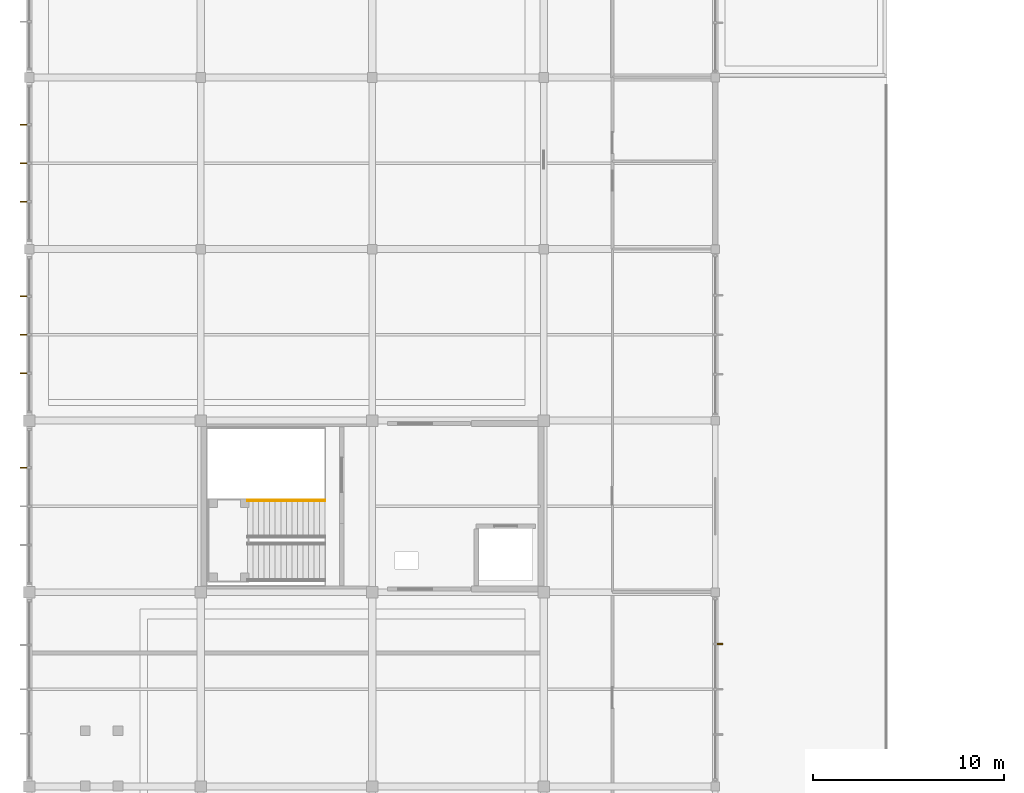
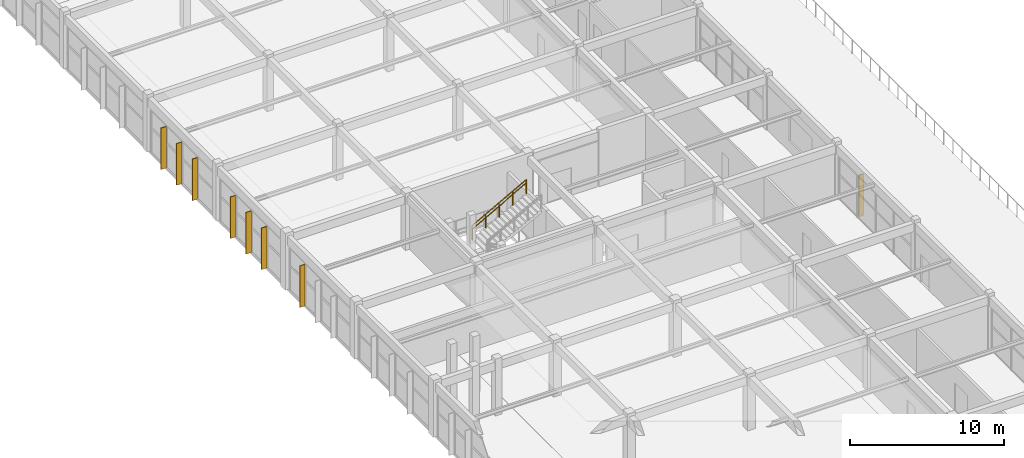
# One storey, part 78 of 89: 8 shading devices, 2 railings.
"""IFC4 building model written with IfcOpenShell, lengths in metres."""

import ifcopenshell
import ifcopenshell.guid

model = None  # the IFC model being written
_history = None  # IfcOwnerHistory: only IFC2X3 demands one
_inside = {}  # id of a spatial element -> (the spatial element, [elements in it])
_under = {}  # id of a project, library or spatial element -> (it, [spatial elements below it])
_declared = {}  # id of a project -> (the project, [libraries it declares])
_typed = {}  # id of a type object -> (the type object, [elements of that type])
_made_of = {}  # id of a material, layer set ... -> (it, [elements and type objects made of it])


def new_model(schema):
    """Start an empty IFC model of exactly this schema.

    Asked for "IFC4X3", IfcOpenShell would pick the latest addendum, in which some entities
    have other attributes; the version numbers below select the first issue.
    IFC2X3 requires an IfcOwnerHistory on every rooted entity: one is made here for all.
    """
    global model, _history
    if schema == "IFC4X3":
        model = ifcopenshell.file(schema_version=(4, 3, 0, 0))
    else:
        model = ifcopenshell.file(schema=schema)
    _inside.clear()
    _under.clear()
    _declared.clear()
    _typed.clear()
    _made_of.clear()
    _history = None
    if model.schema == "IFC2X3":
        org = make("IfcOrganization", Name="unknown")
        user = make(
            "IfcPersonAndOrganization",
            ThePerson=make("IfcPerson", FamilyName="unknown"),
            TheOrganization=org,
        )
        app = make(
            "IfcApplication",
            ApplicationDeveloper=org,
            Version="unknown",
            ApplicationFullName="unknown",
            ApplicationIdentifier="unknown",
        )
        _history = make(
            "IfcOwnerHistory",
            OwningUser=user,
            OwningApplication=app,
            ChangeAction="ADDED",
            CreationDate=0,
        )
    return model


def make(cls, **values):
    """One entity of the class cls with the attributes given. An attribute that is None is left unset."""
    return model.create_entity(
        cls, **{name: value for name, value in values.items() if value is not None}
    )


def rooted(cls, **values):
    """An entity with a GlobalId (a new one), such as an element, a storey or a relation."""
    return make(cls, GlobalId=ifcopenshell.guid.new(), OwnerHistory=_history, **values)


def si_unit(unit_type, name, prefix=None):
    """IfcSIUnit, for example si_unit("LENGTHUNIT", "METRE", prefix="MILLI")."""
    return make("IfcSIUnit", UnitType=unit_type, Prefix=prefix, Name=name)


def assignment(units):
    """IfcUnitAssignment: the units of a project."""
    return None if units is None else make("IfcUnitAssignment", Units=units)


def point(xyz):
    """IfcCartesianPoint."""
    return None if xyz is None else make("IfcCartesianPoint", Coordinates=xyz)


def direction(xyz):
    """IfcDirection."""
    return None if xyz is None else make("IfcDirection", DirectionRatios=xyz)


def frame(location, z_axis=None, x_axis=None):
    """IfcAxis2Placement3D, a coordinate frame: its origin and axes. An axis left out is left unset."""
    return make(
        "IfcAxis2Placement3D",
        Location=point(location),
        Axis=direction(z_axis),
        RefDirection=direction(x_axis),
    )


def frame_2d(location, x_axis=None):
    """IfcAxis2Placement2D, a coordinate frame in the plane: its origin and x axis."""
    return make(
        "IfcAxis2Placement2D", Location=point(location), RefDirection=direction(x_axis)
    )


def origin():
    """The frame at (0, 0, 0) with its axes left unset."""
    return frame((0.0, 0.0, 0.0))


def origin_2d():
    """The frame at (0, 0) in the plane with its x axis left unset."""
    return frame_2d((0.0, 0.0))


def place(relative_to, where):
    """IfcLocalPlacement: puts the frame where relative to a parent placement (None: the world)."""
    return make(
        "IfcLocalPlacement", PlacementRelTo=relative_to, RelativePlacement=where
    )


def context(
    kind, dimensions, precision=None, world=None, true_north=None, identifier=None
):
    """IfcGeometricRepresentationContext, for example the 3D "Model" context."""
    return make(
        "IfcGeometricRepresentationContext",
        ContextIdentifier=identifier,
        ContextType=kind,
        CoordinateSpaceDimension=dimensions,
        Precision=precision,
        WorldCoordinateSystem=world,
        TrueNorth=true_north,
    )


def subcontext(parent, identifier, kind, view, scale=None):
    """IfcGeometricRepresentationSubContext, for example "Body" below "Model"."""
    return make(
        "IfcGeometricRepresentationSubContext",
        ContextIdentifier=identifier,
        ContextType=kind,
        ParentContext=parent,
        TargetScale=scale,
        TargetView=view,
    )


def project(units=None, contexts=None):
    """IfcProject with its units and contexts."""
    return rooted(
        "IfcProject",
        Name="project",
        RepresentationContexts=contexts,
        UnitsInContext=assignment(units),
    )


def spatial(cls, under=None, at=None, **own):
    """A site, building, storey or space (cls), placed at a placement, below another one or the project."""
    s = rooted(cls, ObjectPlacement=at, **own)
    if under is not None:
        _under.setdefault(under.id(), (under, []))[1].append(s)
    return s


def profile(cls, at=None, kind="AREA", **sizes):
    """A parametric profile (cls). Its sizes go by their IFC names, for example OverallWidth=200.0."""
    return make(cls, ProfileType=kind, Position=at, **sizes)


def rectangle(**sizes):
    """IfcRectangleProfileDef."""
    return profile("IfcRectangleProfileDef", **sizes)


def circle(**sizes):
    """IfcCircleProfileDef."""
    return profile("IfcCircleProfileDef", **sizes)


def extrude(swept, where, along, depth):
    """IfcExtrudedAreaSolid: the profile swept, set in the frame where, extruded along a direction by depth."""
    return make(
        "IfcExtrudedAreaSolid",
        SweptArea=swept,
        Position=where,
        ExtrudedDirection=direction(along),
        Depth=depth,
    )


def shape(context_of_items, identifier, shape_type, items):
    """IfcShapeRepresentation: the items that make up one representation, for example the "Body"."""
    return make(
        "IfcShapeRepresentation",
        ContextOfItems=context_of_items,
        RepresentationIdentifier=identifier,
        RepresentationType=shape_type,
        Items=items,
    )


def material(Name=None, Category=None):
    """IfcMaterial."""
    return make("IfcMaterial", Name=Name, Category=Category)


def made_of(thing, what):
    """Note that an element or type object is made of a material, layer set ...; save() writes the relation."""
    if what is not None:
        _made_of.setdefault(what.id(), (what, []))[1].append(thing)
    return thing


def type_object(cls, material=None, **own):
    """A type object (cls), such as IfcWallType, which elements share."""
    return made_of(rooted(cls, **own), material)


def element(
    cls,
    number,
    at=None,
    inside=None,
    cuts=None,
    type_object=None,
    material=None,
    context=None,
    identifier="Body",
    shape_type=None,
    held_by="IfcProductDefinitionShape",
    body=None,
    shapes=None,
    **own,
):
    """One element of the class cls, such as IfcWall. Its Tag is "e" and its number.

    at: its placement. inside: the storey or other place that contains it. cuts: it is an
    opening in that element (IfcRelVoidsElement). A single representation is given by context,
    identifier, shape_type and body (its items); several are given by shapes. held_by: the class
    of the entity that holds the representations. save() writes the other relations.
    """
    e = rooted(cls, Tag="e%d" % number, ObjectPlacement=at, **own)
    if body is not None:
        shapes = [shape(context, identifier, shape_type, body)]
    if shapes is not None:
        e.Representation = make(held_by, Representations=shapes)
    if inside is not None:
        _inside.setdefault(inside.id(), (inside, []))[1].append(e)
    if cuts is not None:
        rooted(
            "IfcRelVoidsElement", RelatingBuildingElement=cuts, RelatedOpeningElement=e
        )
    if type_object is not None:
        _typed.setdefault(type_object.id(), (type_object, []))[1].append(e)
    return made_of(e, material)


def aggregate(whole, parts):
    """IfcRelAggregates: a whole, such as a stair, and the parts it consists of."""
    return rooted("IfcRelAggregates", RelatingObject=whole, RelatedObjects=parts)


def save(model, path):
    """Write the relations noted so far, then the file.

    IfcRelAggregates (storeys below a building ...), IfcRelContainedInSpatialStructure (elements
    in a storey), IfcRelDefinesByType, IfcRelAssociatesMaterial and IfcRelDeclares: one each for
    every whole, place, type object, material and project.
    """
    for whole, parts in _under.values():
        aggregate(whole, parts)
    for where, things in _inside.values():
        rooted(
            "IfcRelContainedInSpatialStructure",
            RelatedElements=things,
            RelatingStructure=where,
        )
    for kind, things in _typed.values():
        rooted("IfcRelDefinesByType", RelatedObjects=things, RelatingType=kind)
    for what, things in _made_of.values():
        rooted("IfcRelAssociatesMaterial", RelatedObjects=things, RelatingMaterial=what)
    for by, libraries in _declared.values():
        rooted("IfcRelDeclares", RelatingContext=by, RelatedDefinitions=libraries)
    model.write(path)


model = new_model("IFC4")

# Units and contexts
model_context = context("Model", 3, precision=1e-05, world=origin(), true_north=direction((0.0, 1.0)))
body_context = subcontext(model_context, "Body", "Model", "MODEL_VIEW")
ifc_project = project(units=[si_unit("LENGTHUNIT", "METRE"), si_unit("AREAUNIT", "SQUARE_METRE"), si_unit("VOLUMEUNIT", "CUBIC_METRE"), si_unit("PLANEANGLEUNIT", "RADIAN"), si_unit("MASSUNIT", "GRAM", prefix="KILO")], contexts=[model_context])

# Site, building, storey
site_placement = place(None, origin())
site = spatial("IfcSite", under=ifc_project, at=site_placement, CompositionType="ELEMENT")
building_placement = place(site_placement, origin())
building = spatial("IfcBuilding", under=site, at=building_placement, Name="Suirenkawa Promenade Aquatics Centre", CompositionType="ELEMENT")
storey_placement = place(building_placement, frame((0.0, 0.0, 9.60009765625)))
storey = spatial("IfcBuildingStorey", under=building, at=storey_placement, Name="L02", CompositionType="ELEMENT", Elevation=9.60009765625)

# Railings
ifc_material_1 = material(Name="Marine-grade stainless steel Grade 316L", Category="steel")
railing_type_1 = type_object("IfcRailingType", Name="RLT-GUARD-1120", PredefinedType="GUARDRAIL", material=ifc_material_1)
railing_1_placement = place(storey_placement, frame((11.455078125, 64.22998046875, 2.25)))
element("IfcRailing", 1, at=railing_1_placement, inside=storey, type_object=railing_type_1, Name="Guardrail GRD-01 RL-0087", PredefinedType="GUARDRAIL", context=body_context, shape_type="SweptSolid", body=[
    extrude(circle(Radius=0.02392578125, at=origin_2d()), frame((0.0, 0.0, 1.09619140625), z_axis=(0.874655505744, 0.0, 0.484745032229), x_axis=(0.0, 1.0, 0.0)), (0.0, 0.0, 1.0), 4.6416015625),
    extrude(circle(Radius=0.02099609375, at=origin_2d()), origin(), (0.0, 0.0, 1.0), 1.072021484375),
    extrude(circle(Radius=0.02099609375, at=origin_2d()), frame((1.014892578125, 0.0, 0.5625)), (0.0, 0.0, 1.0), 1.072021484375),
    extrude(circle(Radius=0.02099609375, at=origin_2d()), frame((2.02978515625, 0.0, 1.125)), (0.0, 0.0, 1.0), 1.072021484375),
    extrude(circle(Radius=0.02099609375, at=origin_2d()), frame((3.044921875, 0.0, 1.6875)), (0.0, 0.0, 1.0), 1.072021484375),
    extrude(circle(Radius=0.02099609375, at=origin_2d()), frame((4.059814453125, 0.0, 2.25)), (0.0, 0.0, 1.0), 1.072021484375),
])
railing_type_2 = type_object("IfcRailingType", Name="RLT-HANDRAIL-900", PredefinedType="HANDRAIL", material=ifc_material_1)
railing_2_placement = place(storey_placement, frame((11.455078125, 64.179931640625, 2.25)))
element("IfcRailing", 2, at=railing_2_placement, inside=storey, type_object=railing_type_2, Name="Handrail HRL-01 RL-0088", PredefinedType="HANDRAIL", context=body_context, shape_type="SweptSolid", body=[
    extrude(circle(Radius=0.02392578125, at=origin_2d()), frame((0.0, 0.0, 0.8759765625), z_axis=(0.874655505744, 0.0, 0.484745032229), x_axis=(0.0, 1.0, 0.0)), (0.0, 0.0, 1.0), 4.6416015625),
    extrude(circle(Radius=0.02099609375, at=origin_2d()), origin(), (0.0, 0.0, 1.0), 0.851806640625),
    extrude(circle(Radius=0.02099609375, at=origin_2d()), frame((1.014892578125, 0.0, 0.5625)), (0.0, 0.0, 1.0), 0.851806640625),
    extrude(circle(Radius=0.02099609375, at=origin_2d()), frame((2.02978515625, 0.0, 1.125)), (0.0, 0.0, 1.0), 0.851806640625),
    extrude(circle(Radius=0.02099609375, at=origin_2d()), frame((3.044921875, 0.0, 1.6875)), (0.0, 0.0, 1.0), 0.851806640625),
    extrude(circle(Radius=0.02099609375, at=origin_2d()), frame((4.059814453125, 0.0, 2.25)), (0.0, 0.0, 1.0), 0.851806640625),
])

# Shading devices
ifc_material_2 = material(Name="Anodised aluminium 6063-T6", Category="aluminium")
shading_device_type_1 = type_object("IfcShadingDeviceType", Name="SDT-KOUSHI-320", PredefinedType="USERDEFINED", material=ifc_material_2)
shading_device_placement = place(storey_placement, frame((36.23193359375, 56.675537109375, 0.039794921875), z_axis=(0.0, 0.0, 1.0), x_axis=(1.0, 0.0, 0.0)))
element("IfcShadingDevice", 3, at=shading_device_placement, inside=storey, type_object=shading_device_type_1, Name="Vertical solar shading fin FN-02 FIN-0166", ObjectType="FIN", PredefinedType="USERDEFINED", context=body_context, shape_type="SweptSolid", body=[
    extrude(rectangle(XDim=0.320068359375, YDim=0.06005859375, at=origin_2d()), origin(), (0.0, 0.0, 1.0), 3.2900390625),
])
shading_device_type_2 = type_object("IfcShadingDeviceType", Name="SDT-KOUSHI-400", PredefinedType="USERDEFINED", material=ifc_material_2)
for number, where, z_axis, x_axis, name in (
    (4, (-0.287109375, 65.925537109375, 0.039794921875), (0.0, 0.0, 1.0), (-1.0, 0.0, 0.0), "Vertical solar shading fin FN-01 FIN-0171"),
    (5, (-0.287109375, 70.87451171875, 0.039794921875), (0.0, 0.0, 1.0), (-1.0, 0.0, 0.0), "Vertical solar shading fin FN-01 FIN-0172"),
    (6, (-0.287109375, 72.89990234375, 0.039794921875), (0.0, 0.0, 1.0), (-1.0, 0.0, 0.0), "Vertical solar shading fin FN-01 FIN-0173"),
    (7, (-0.287109375, 74.925537109375, 0.039794921875), (0.0, 0.0, 1.0), (-1.0, 0.0, 0.0), "Vertical solar shading fin FN-01 FIN-0174"),
    (8, (-0.287109375, 79.87451171875, 0.039794921875), (0.0, 0.0, 1.0), (-1.0, 0.0, 0.0), "Vertical solar shading fin FN-01 FIN-0178"),
    (9, (-0.287109375, 81.89990234375, 0.039794921875), (0.0, 0.0, 1.0), (-1.0, 0.0, 0.0), "Vertical solar shading fin FN-01 FIN-0179"),
    (10, (-0.287109375, 83.925537109375, 0.039794921875), (0.0, 0.0, 1.0), (-1.0, 0.0, 0.0), "Vertical solar shading fin FN-01 FIN-0180"),
):
    element("IfcShadingDevice", number, at=place(storey_placement, frame(where, z_axis=z_axis, x_axis=x_axis)), inside=storey, type_object=shading_device_type_2, Name=name, ObjectType="FIN", PredefinedType="USERDEFINED", context=body_context, shape_type="SweptSolid", body=[
        extrude(rectangle(XDim=0.39990234375, YDim=0.06005859375, at=origin_2d()), origin(), (0.0, 0.0, 1.0), 3.2900390625),
    ])

save(model, "model.ifc")
